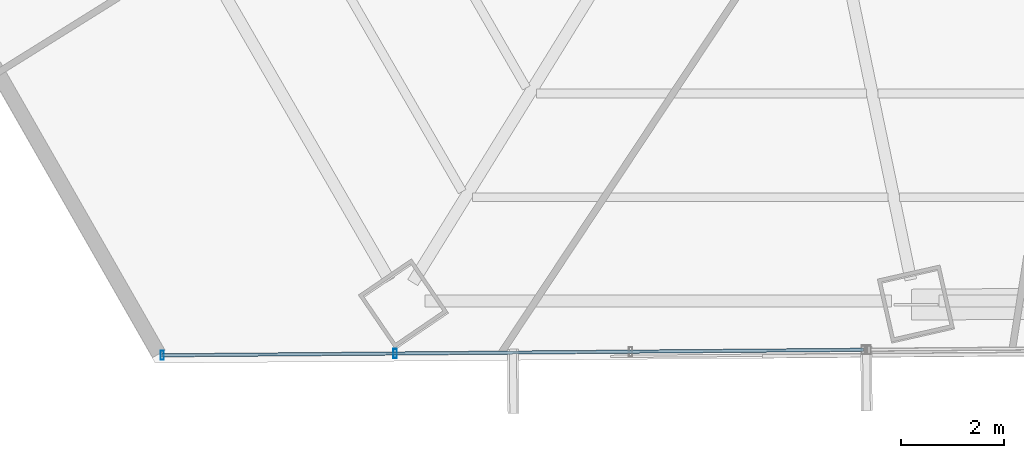
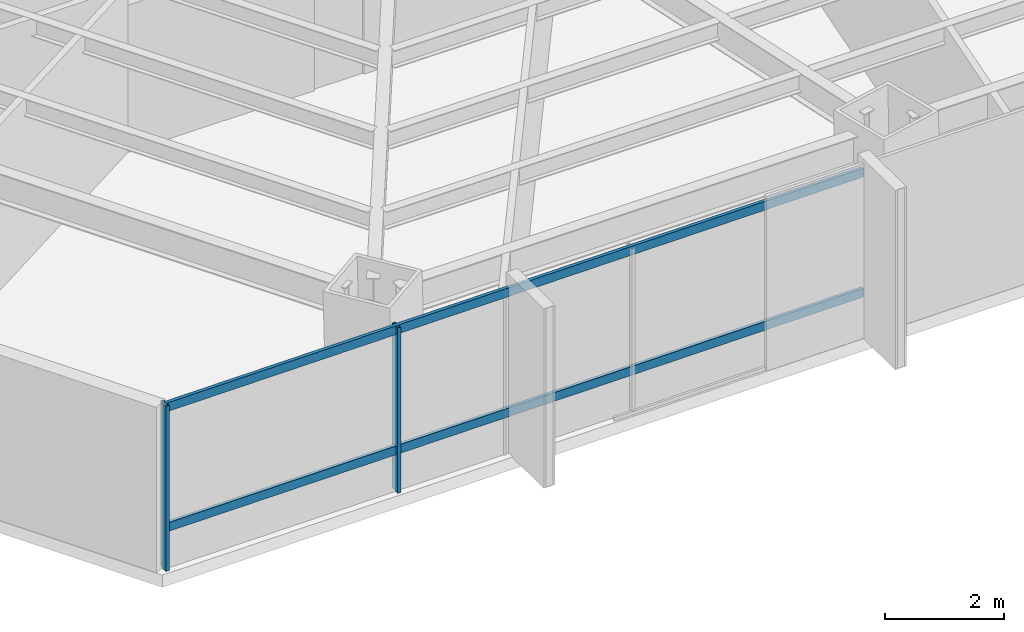
# One storey, part 3 of 34: 4 members, 1 element without a shape of its own.
"""IFC4 building model written with IfcOpenShell, lengths in metres."""

import ifcopenshell
import ifcopenshell.guid

model = None  # the IFC model being written
_history = None  # IfcOwnerHistory: only IFC2X3 demands one
_inside = {}  # id of a spatial element -> (the spatial element, [elements in it])
_under = {}  # id of a project, library or spatial element -> (it, [spatial elements below it])
_declared = {}  # id of a project -> (the project, [libraries it declares])
_typed = {}  # id of a type object -> (the type object, [elements of that type])
_made_of = {}  # id of a material, layer set ... -> (it, [elements and type objects made of it])


def new_model(schema):
    """Start an empty IFC model of exactly this schema.

    Asked for "IFC4X3", IfcOpenShell would pick the latest addendum, in which some entities
    have other attributes; the version numbers below select the first issue.
    IFC2X3 requires an IfcOwnerHistory on every rooted entity: one is made here for all.
    """
    global model, _history
    if schema == "IFC4X3":
        model = ifcopenshell.file(schema_version=(4, 3, 0, 0))
    else:
        model = ifcopenshell.file(schema=schema)
    _inside.clear()
    _under.clear()
    _declared.clear()
    _typed.clear()
    _made_of.clear()
    _history = None
    if model.schema == "IFC2X3":
        org = make("IfcOrganization", Name="unknown")
        user = make(
            "IfcPersonAndOrganization",
            ThePerson=make("IfcPerson", FamilyName="unknown"),
            TheOrganization=org,
        )
        app = make(
            "IfcApplication",
            ApplicationDeveloper=org,
            Version="unknown",
            ApplicationFullName="unknown",
            ApplicationIdentifier="unknown",
        )
        _history = make(
            "IfcOwnerHistory",
            OwningUser=user,
            OwningApplication=app,
            ChangeAction="ADDED",
            CreationDate=0,
        )
    return model


def make(cls, **values):
    """One entity of the class cls with the attributes given. An attribute that is None is left unset."""
    return model.create_entity(
        cls, **{name: value for name, value in values.items() if value is not None}
    )


def rooted(cls, **values):
    """An entity with a GlobalId (a new one), such as an element, a storey or a relation."""
    return make(cls, GlobalId=ifcopenshell.guid.new(), OwnerHistory=_history, **values)


def si_unit(unit_type, name, prefix=None):
    """IfcSIUnit, for example si_unit("LENGTHUNIT", "METRE", prefix="MILLI")."""
    return make("IfcSIUnit", UnitType=unit_type, Prefix=prefix, Name=name)


def assignment(units):
    """IfcUnitAssignment: the units of a project."""
    return None if units is None else make("IfcUnitAssignment", Units=units)


def point(xyz):
    """IfcCartesianPoint."""
    return None if xyz is None else make("IfcCartesianPoint", Coordinates=xyz)


def direction(xyz):
    """IfcDirection."""
    return None if xyz is None else make("IfcDirection", DirectionRatios=xyz)


def frame(location, z_axis=None, x_axis=None):
    """IfcAxis2Placement3D, a coordinate frame: its origin and axes. An axis left out is left unset."""
    return make(
        "IfcAxis2Placement3D",
        Location=point(location),
        Axis=direction(z_axis),
        RefDirection=direction(x_axis),
    )


def frame_2d(location, x_axis=None):
    """IfcAxis2Placement2D, a coordinate frame in the plane: its origin and x axis."""
    return make(
        "IfcAxis2Placement2D", Location=point(location), RefDirection=direction(x_axis)
    )


def origin():
    """The frame at (0, 0, 0) with its axes left unset."""
    return frame((0.0, 0.0, 0.0))


def origin_2d():
    """The frame at (0, 0) in the plane with its x axis left unset."""
    return frame_2d((0.0, 0.0))


def place(relative_to, where):
    """IfcLocalPlacement: puts the frame where relative to a parent placement (None: the world)."""
    return make(
        "IfcLocalPlacement", PlacementRelTo=relative_to, RelativePlacement=where
    )


def context(
    kind, dimensions, precision=None, world=None, true_north=None, identifier=None
):
    """IfcGeometricRepresentationContext, for example the 3D "Model" context."""
    return make(
        "IfcGeometricRepresentationContext",
        ContextIdentifier=identifier,
        ContextType=kind,
        CoordinateSpaceDimension=dimensions,
        Precision=precision,
        WorldCoordinateSystem=world,
        TrueNorth=true_north,
    )


def subcontext(parent, identifier, kind, view, scale=None):
    """IfcGeometricRepresentationSubContext, for example "Body" below "Model"."""
    return make(
        "IfcGeometricRepresentationSubContext",
        ContextIdentifier=identifier,
        ContextType=kind,
        ParentContext=parent,
        TargetScale=scale,
        TargetView=view,
    )


def project(units=None, contexts=None):
    """IfcProject with its units and contexts."""
    return rooted(
        "IfcProject",
        Name="project",
        RepresentationContexts=contexts,
        UnitsInContext=assignment(units),
    )


def spatial(cls, under=None, at=None, **own):
    """A site, building, storey or space (cls), placed at a placement, below another one or the project."""
    s = rooted(cls, ObjectPlacement=at, **own)
    if under is not None:
        _under.setdefault(under.id(), (under, []))[1].append(s)
    return s


def profile(cls, at=None, kind="AREA", **sizes):
    """A parametric profile (cls). Its sizes go by their IFC names, for example OverallWidth=200.0."""
    return make(cls, ProfileType=kind, Position=at, **sizes)


def hollow_rectangle(**sizes):
    """IfcRectangleHollowProfileDef."""
    return profile("IfcRectangleHollowProfileDef", **sizes)


def extrude(swept, where, along, depth):
    """IfcExtrudedAreaSolid: the profile swept, set in the frame where, extruded along a direction by depth."""
    return make(
        "IfcExtrudedAreaSolid",
        SweptArea=swept,
        Position=where,
        ExtrudedDirection=direction(along),
        Depth=depth,
    )


def shape(context_of_items, identifier, shape_type, items):
    """IfcShapeRepresentation: the items that make up one representation, for example the "Body"."""
    return make(
        "IfcShapeRepresentation",
        ContextOfItems=context_of_items,
        RepresentationIdentifier=identifier,
        RepresentationType=shape_type,
        Items=items,
    )


def source(mapping_origin, context_of_items, identifier, shape_type, items):
    """IfcRepresentationMap: a shape defined once, which mapped items show again and again."""
    return make(
        "IfcRepresentationMap",
        MappingOrigin=mapping_origin,
        MappedRepresentation=shape(context_of_items, identifier, shape_type, items),
    )


def transform(
    local_origin,
    x_axis=None,
    y_axis=None,
    z_axis=None,
    scale=None,
    scale2=None,
    scale3=None,
    uniform=True,
):
    """IfcCartesianTransformationOperator3D, or its non-uniform kind. x_axis, y_axis, z_axis: its Axis1, 2, 3."""
    if uniform:
        return make(
            "IfcCartesianTransformationOperator3D",
            Axis1=direction(x_axis),
            Axis2=direction(y_axis),
            LocalOrigin=point(local_origin),
            Scale=scale,
            Axis3=direction(z_axis),
        )
    return make(
        "IfcCartesianTransformationOperator3DnonUniform",
        Axis1=direction(x_axis),
        Axis2=direction(y_axis),
        LocalOrigin=point(local_origin),
        Scale=scale,
        Axis3=direction(z_axis),
        Scale2=scale2,
        Scale3=scale3,
    )


def mapped(mapping_source, mapping_target):
    """IfcMappedItem: shows the shape of a source again, moved by a transform."""
    return make(
        "IfcMappedItem", MappingSource=mapping_source, MappingTarget=mapping_target
    )


def material(Name=None, Category=None):
    """IfcMaterial."""
    return make("IfcMaterial", Name=Name, Category=Category)


def material_profile(
    of_material, cross_section, Name=None, Category=None, Priority=None
):
    """IfcMaterialProfile: a cross section and its material."""
    return make(
        "IfcMaterialProfile",
        Name=Name,
        Material=of_material,
        Profile=cross_section,
        Priority=Priority,
        Category=Category,
    )


def profile_set(profiles, Name=None, composite=None):
    """IfcMaterialProfileSet."""
    return make(
        "IfcMaterialProfileSet",
        Name=Name,
        MaterialProfiles=profiles,
        CompositeProfile=composite,
    )


def made_of(thing, what):
    """Note that an element or type object is made of a material, layer set ...; save() writes the relation."""
    if what is not None:
        _made_of.setdefault(what.id(), (what, []))[1].append(thing)
    return thing


def type_object(cls, material=None, **own):
    """A type object (cls), such as IfcWallType, which elements share."""
    return made_of(rooted(cls, **own), material)


def type_shapes(of_type, sources):
    """Give a type object the sources (RepresentationMaps) that its elements show as mapped items."""
    of_type.RepresentationMaps = sources


def element(
    cls,
    number,
    at=None,
    inside=None,
    cuts=None,
    type_object=None,
    material=None,
    context=None,
    identifier="Body",
    shape_type=None,
    held_by="IfcProductDefinitionShape",
    body=None,
    shapes=None,
    **own,
):
    """One element of the class cls, such as IfcWall. Its Tag is "e" and its number.

    at: its placement. inside: the storey or other place that contains it. cuts: it is an
    opening in that element (IfcRelVoidsElement). A single representation is given by context,
    identifier, shape_type and body (its items); several are given by shapes. held_by: the class
    of the entity that holds the representations. save() writes the other relations.
    """
    e = rooted(cls, Tag="e%d" % number, ObjectPlacement=at, **own)
    if body is not None:
        shapes = [shape(context, identifier, shape_type, body)]
    if shapes is not None:
        e.Representation = make(held_by, Representations=shapes)
    if inside is not None:
        _inside.setdefault(inside.id(), (inside, []))[1].append(e)
    if cuts is not None:
        rooted(
            "IfcRelVoidsElement", RelatingBuildingElement=cuts, RelatedOpeningElement=e
        )
    if type_object is not None:
        _typed.setdefault(type_object.id(), (type_object, []))[1].append(e)
    return made_of(e, material)


def aggregate(whole, parts):
    """IfcRelAggregates: a whole, such as a stair, and the parts it consists of."""
    return rooted("IfcRelAggregates", RelatingObject=whole, RelatedObjects=parts)


def save(model, path):
    """Write the relations noted so far, then the file.

    IfcRelAggregates (storeys below a building ...), IfcRelContainedInSpatialStructure (elements
    in a storey), IfcRelDefinesByType, IfcRelAssociatesMaterial and IfcRelDeclares: one each for
    every whole, place, type object, material and project.
    """
    for whole, parts in _under.values():
        aggregate(whole, parts)
    for where, things in _inside.values():
        rooted(
            "IfcRelContainedInSpatialStructure",
            RelatedElements=things,
            RelatingStructure=where,
        )
    for kind, things in _typed.values():
        rooted("IfcRelDefinesByType", RelatedObjects=things, RelatingType=kind)
    for what, things in _made_of.values():
        rooted("IfcRelAssociatesMaterial", RelatedObjects=things, RelatingMaterial=what)
    for by, libraries in _declared.values():
        rooted("IfcRelDeclares", RelatingContext=by, RelatedDefinitions=libraries)
    model.write(path)


model = new_model("IFC4")

# Units and contexts
model_context = context("Model", 3, precision=1e-05, world=origin(), true_north=direction((0.0, 1.0)))
body_context = subcontext(model_context, "Body", "Model", "MODEL_VIEW")
ifc_project = project(units=[si_unit("LENGTHUNIT", "METRE"), si_unit("AREAUNIT", "SQUARE_METRE"), si_unit("VOLUMEUNIT", "CUBIC_METRE"), si_unit("PLANEANGLEUNIT", "RADIAN"), si_unit("MASSUNIT", "GRAM", prefix="KILO")], contexts=[model_context])

# Site, building, storey
site_placement = place(None, origin())
site = spatial("IfcSite", under=ifc_project, at=site_placement, CompositionType="ELEMENT")
building_placement = place(site_placement, origin())
building = spatial("IfcBuilding", under=site, at=building_placement, Name="Caelisora Broadcast Tower", CompositionType="ELEMENT")
storey_placement = place(building_placement, frame((0.0, 0.0, 49.5)))
storey = spatial("IfcBuildingStorey", under=building, at=storey_placement, Name="L12", CompositionType="ELEMENT", Elevation=49.5)

# Curtain wall, members
ifc_material_1 = material(Name="Unitised Aluminium and Low-E Glass Curtain Wall", Category="glass")
curtain_wall_type = type_object("IfcCurtainWallType", Name="CW-Z1", PredefinedType="NOTDEFINED", material=ifc_material_1)
curtain_wall_placement = place(storey_placement, origin())
curtain_wall = element("IfcCurtainWall", 1, at=curtain_wall_placement, inside=storey, type_object=curtain_wall_type, Name="L12 curtain wall CW-Z1", PredefinedType="NOTDEFINED")
ifc_material_2 = material(Name="Aluminium 6063-T6 Anodised Terracotta Bronze", Category="aluminium")
ifc_material_profile_1 = material_profile(ifc_material_2, hollow_rectangle(XDim=0.06494140625, YDim=0.179931640625, WallThickness=0.00341796875, at=origin_2d()), Name="Aluminium 6063-T6 Anodised Terracotta Bronze")
ifc_profile_set_1 = profile_set([ifc_material_profile_1], Name="Aluminium 6063-T6 Anodised Terracotta Bronze")
member_type_1 = type_object("IfcMemberType", Name="CWM-02", PredefinedType="MULLION", material=ifc_profile_set_1)
shared_shape_1 = source(origin(), body_context, "Body", "SweptSolid", [
    extrude(hollow_rectangle(XDim=0.06494140625, YDim=0.179931640625, WallThickness=0.00341796875, at=origin_2d()), origin(), (0.0, 0.0, 1.0), 3.39990234375),
])
type_shapes(member_type_1, [shared_shape_1])
member_1_placement = place(storey_placement, frame((22.901611328125, 4.284912109375, 0.0), z_axis=(0.0, 0.0, 1.0), x_axis=(1.0, 0.0, 0.0)))
member_1 = element("IfcMember", 2, at=member_1_placement, type_object=member_type_1, Name="L12-CW-B07 mullion #2", PredefinedType="MULLION", context=body_context, shape_type="MappedRepresentation", body=[
    mapped(shared_shape_1, transform((0.0, 0.0, 0.0), scale=1.0)),
])
member_2_placement = place(storey_placement, frame((18.376953125, 4.24951171875, 0.0), z_axis=(0.0, 0.0, 1.0), x_axis=(1.0, 0.0, 0.0)))
member_2 = element("IfcMember", 3, at=member_2_placement, type_object=member_type_1, Name="L12-CW-B07 mullion #3", PredefinedType="MULLION", context=body_context, shape_type="MappedRepresentation", body=[
    mapped(shared_shape_1, transform((0.0, 0.0, 0.0), scale=1.0)),
])
ifc_material_profile_2 = material_profile(ifc_material_2, hollow_rectangle(XDim=0.06494140625, YDim=0.179931640625, WallThickness=0.00341796875, at=origin_2d()), Name="Aluminium 6063-T6 Anodised Terracotta Bronze")
ifc_profile_set_2 = profile_set([ifc_material_profile_2], Name="Aluminium 6063-T6 Anodised Terracotta Bronze")
member_type_2 = type_object("IfcMemberType", Name="CWT-01", PredefinedType="USERDEFINED", material=ifc_profile_set_2)
shared_shape_2 = source(origin(), body_context, "Body", "SweptSolid", [
    extrude(hollow_rectangle(XDim=0.06494140625, YDim=0.179931640625, WallThickness=0.00341796875, at=origin_2d()), origin(), (0.0, 0.0, 1.0), 13.624755859375),
])
type_shapes(member_type_2, [shared_shape_2])
member_3_placement = place(storey_placement, frame((32.001220703125, 4.356689453125, 0.85009765625), z_axis=(-0.99996905912, -0.007866435211, 0.0), x_axis=(0.007866435211, -0.99996905912, 0.0)))
member_3 = element("IfcMember", 4, at=member_3_placement, type_object=member_type_2, Name="L12-CW-B07 transom #1", ObjectType="TRANSOM", PredefinedType="USERDEFINED", context=body_context, shape_type="MappedRepresentation", body=[
    mapped(shared_shape_2, transform((0.0, 0.0, 0.0), scale=1.0)),
])
member_4_placement = place(storey_placement, frame((32.001220703125, 4.356689453125, 3.320068359375), z_axis=(-0.99996905912, -0.007866435211, 0.0), x_axis=(0.007866435211, -0.99996905912, 0.0)))
member_4 = element("IfcMember", 5, at=member_4_placement, type_object=member_type_2, Name="L12-CW-B07 transom #2", ObjectType="TRANSOM", PredefinedType="USERDEFINED", context=body_context, shape_type="MappedRepresentation", body=[
    mapped(shared_shape_2, transform((0.0, 0.0, 0.0), scale=1.0)),
])
aggregate(curtain_wall, [member_1, member_2, member_3, member_4])

save(model, "model.ifc")
